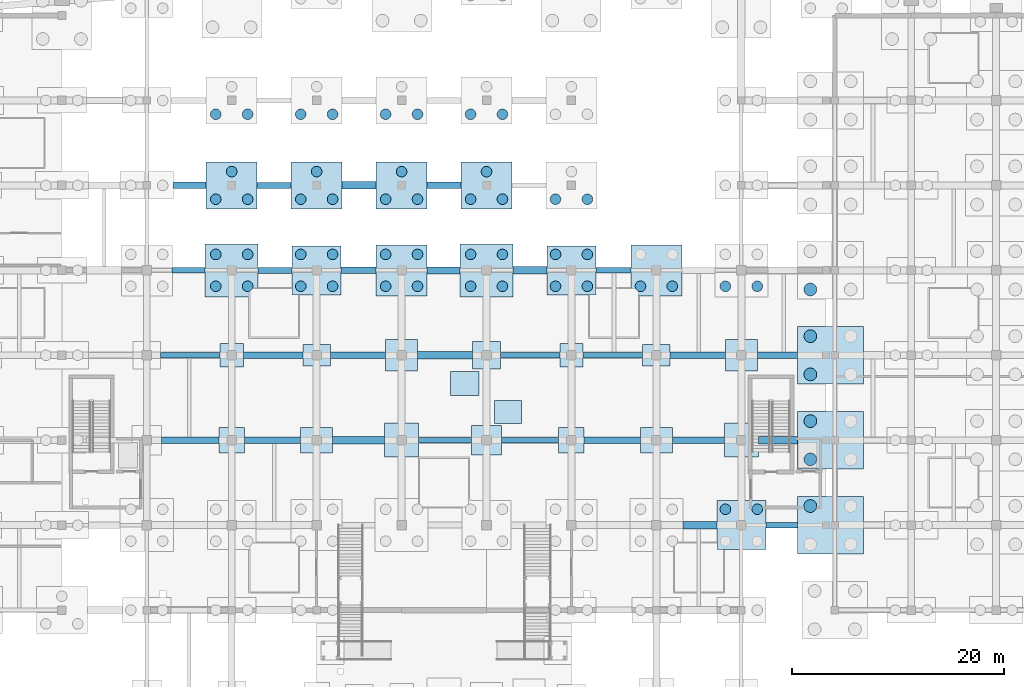
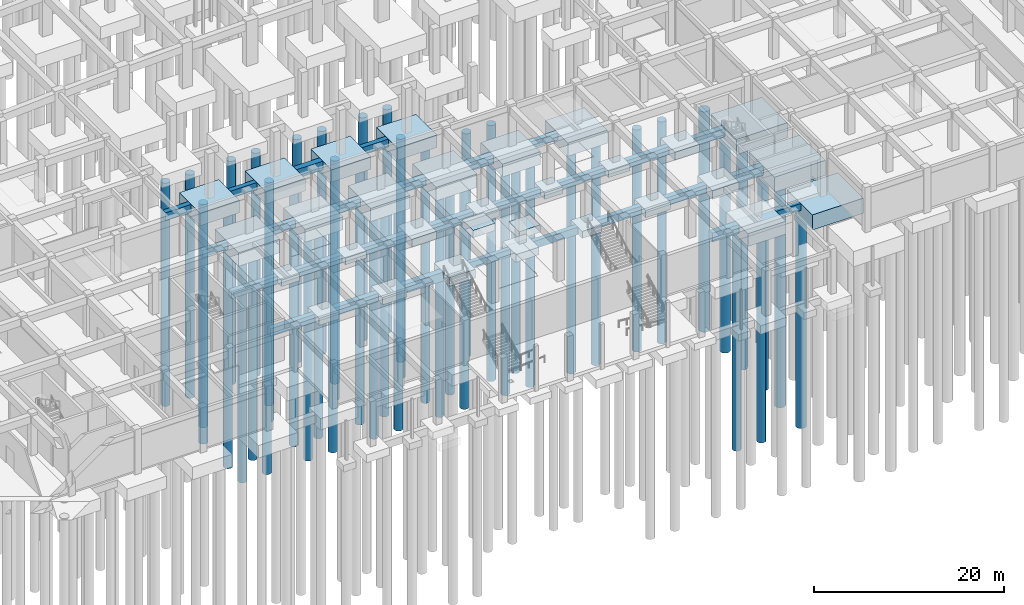
# One storey, part 3 of 45: 58 footings, 54 piles.
"""IFC4 building model written with IfcOpenShell, lengths in metres."""

from ifc_helpers import new_model, si_unit, direction, frame, origin, origin_2d, place, context, subcontext, project, spatial, rectangle, circle, extrude, material, material_profile, profile_set, type_object, element, save


model = new_model("IFC4")

# Units and contexts
model_context = context("Model", 3, precision=1e-05, world=origin(), true_north=direction((0.0, 1.0)))
body_context = subcontext(model_context, "Body", "Model", "MODEL_VIEW")
ifc_project = project(units=[si_unit("LENGTHUNIT", "METRE"), si_unit("AREAUNIT", "SQUARE_METRE"), si_unit("VOLUMEUNIT", "CUBIC_METRE"), si_unit("PLANEANGLEUNIT", "RADIAN"), si_unit("MASSUNIT", "GRAM", prefix="KILO")], contexts=[model_context])

# Site, building, storey
site_placement = place(None, origin())
site = spatial("IfcSite", under=ifc_project, at=site_placement, CompositionType="ELEMENT")
building_placement = place(site_placement, origin())
building = spatial("IfcBuilding", under=site, at=building_placement, Name="Kenh Van Central Station", CompositionType="ELEMENT")
storey_placement = place(building_placement, frame((0.0, 0.0, -5.39990234375)))
storey = spatial("IfcBuildingStorey", under=building, at=storey_placement, Name="B1", CompositionType="ELEMENT", Elevation=-5.39990234375)

# Footings
ifc_material = material(Name="Concrete C40/50", Category="concrete")
ifc_material_profile_1 = material_profile(ifc_material, rectangle(XDim=0.5, YDim=0.89990234375, at=origin_2d()), Name="RC 500x900")
ifc_profile_set_1 = profile_set([ifc_material_profile_1], Name="Concrete C40/50")
footing_type_1 = type_object("IfcFootingType", Name="FBM-500x900", PredefinedType="FOOTING_BEAM", material=ifc_profile_set_1)
footing_1_placement = place(storey_placement, frame((58.39990234375, 40.0, -0.85009765625), z_axis=(1.0, 0.0, 0.0), x_axis=(0.0, 1.0, 0.0)))
element("IfcFooting", 1, at=footing_1_placement, inside=storey, type_object=footing_type_1, Name="Ground tie beam 054", PredefinedType="FOOTING_BEAM", context=body_context, shape_type="SweptSolid", body=[
    extrude(rectangle(XDim=0.5, YDim=0.89990234375, at=origin_2d()), origin(), (0.0, 0.0, 1.0), 3.10009765625),
])
footing_2_placement = place(storey_placement, frame((81.60009765625, 24.0, -0.85009765625), z_axis=(1.0, 0.0, 0.0), x_axis=(0.0, 1.0, 0.0)))
element("IfcFooting", 2, at=footing_2_placement, inside=storey, type_object=footing_type_1, Name="Ground tie beam 064", PredefinedType="FOOTING_BEAM", context=body_context, shape_type="SweptSolid", body=[
    extrude(rectangle(XDim=0.5, YDim=0.89990234375, at=origin_2d()), origin(), (0.0, 0.0, 1.0), 5.0),
])
footing_3_placement = place(storey_placement, frame((89.300048828125, 32.0, -0.85009765625), z_axis=(1.0, 0.0, 0.0), x_axis=(0.0, 1.0, 0.0)))
element("IfcFooting", 3, at=footing_3_placement, inside=storey, type_object=footing_type_1, Name="Ground tie beam 069", PredefinedType="FOOTING_BEAM", context=body_context, shape_type="SweptSolid", body=[
    extrude(rectangle(XDim=0.5, YDim=0.89990234375, at=origin_2d()), origin(), (0.0, 0.0, 1.0), 5.599853515625),
])
footing_4_placement = place(storey_placement, frame((98.300048828125, 40.0, -0.85009765625), z_axis=(1.0, 0.0, 0.0), x_axis=(0.0, 1.0, 0.0)))
element("IfcFooting", 4, at=footing_4_placement, inside=storey, type_object=footing_type_1, Name="Ground tie beam 074", PredefinedType="FOOTING_BEAM", context=body_context, shape_type="SweptSolid", body=[
    extrude(rectangle(XDim=0.5, YDim=0.89990234375, at=origin_2d()), origin(), (0.0, 0.0, 1.0), 3.300048828125),
])
footing_5_placement = place(storey_placement, frame((114.300048828125, 16.0, -0.85009765625), z_axis=(1.0, 0.0, 0.0), x_axis=(0.0, 1.0, 0.0)))
element("IfcFooting", 5, at=footing_5_placement, inside=storey, type_object=footing_type_1, Name="Ground tie beam 079", PredefinedType="FOOTING_BEAM", context=body_context, shape_type="SweptSolid", body=[
    extrude(rectangle(XDim=0.5, YDim=0.89990234375, at=origin_2d()), origin(), (0.0, 0.0, 1.0), 3.0),
])
ifc_material_profile_2 = material_profile(ifc_material, rectangle(XDim=0.550048828125, YDim=0.949951171875, at=origin_2d()), Name="RC 550x950")
ifc_profile_set_2 = profile_set([ifc_material_profile_2], Name="Concrete C40/50")
footing_type_2 = type_object("IfcFootingType", Name="FBM-550x950", PredefinedType="FOOTING_BEAM", material=ifc_profile_set_2)
footing_6_placement = place(storey_placement, frame((57.300048828125, 32.0, -0.875), z_axis=(1.0, 0.0, 0.0), x_axis=(0.0, 1.0, 0.0)))
element("IfcFooting", 6, at=footing_6_placement, inside=storey, type_object=footing_type_2, Name="Ground tie beam 053", PredefinedType="FOOTING_BEAM", context=body_context, shape_type="SweptSolid", body=[
    extrude(rectangle(XDim=0.550048828125, YDim=0.949951171875, at=origin_2d()), origin(), (0.0, 0.0, 1.0), 5.599853515625),
])
footing_7_placement = place(storey_placement, frame((66.5, 40.0, -0.875), z_axis=(1.0, 0.0, 0.0), x_axis=(0.0, 1.0, 0.0)))
element("IfcFooting", 7, at=footing_7_placement, inside=storey, type_object=footing_type_2, Name="Ground tie beam 058", PredefinedType="FOOTING_BEAM", context=body_context, shape_type="SweptSolid", body=[
    extrude(rectangle(XDim=0.550048828125, YDim=0.949951171875, at=origin_2d()), origin(), (0.0, 0.0, 1.0), 3.199951171875),
])
footing_8_placement = place(storey_placement, frame((89.39990234375, 24.0, -0.875), z_axis=(1.0, 0.0, 0.0), x_axis=(0.0, 1.0, 0.0)))
element("IfcFooting", 8, at=footing_8_placement, inside=storey, type_object=footing_type_2, Name="Ground tie beam 068", PredefinedType="FOOTING_BEAM", context=body_context, shape_type="SweptSolid", body=[
    extrude(rectangle(XDim=0.550048828125, YDim=0.949951171875, at=origin_2d()), origin(), (0.0, 0.0, 1.0), 5.400146484375),
])
footing_9_placement = place(storey_placement, frame((97.10009765625, 32.0, -0.875), z_axis=(1.0, 0.0, 0.0), x_axis=(0.0, 1.0, 0.0)))
element("IfcFooting", 9, at=footing_9_placement, inside=storey, type_object=footing_type_2, Name="Ground tie beam 073", PredefinedType="FOOTING_BEAM", context=body_context, shape_type="SweptSolid", body=[
    extrude(rectangle(XDim=0.550048828125, YDim=0.949951171875, at=origin_2d()), origin(), (0.0, 0.0, 1.0), 5.599853515625),
])
footing_10_placement = place(storey_placement, frame((66.39990234375, 48.0, -0.875), z_axis=(1.0, 0.0, 0.0), x_axis=(0.0, 1.0, 0.0)))
element("IfcFooting", 10, at=footing_10_placement, inside=storey, type_object=footing_type_2, Name="Ground tie beam 093", PredefinedType="FOOTING_BEAM", context=body_context, shape_type="SweptSolid", body=[
    extrude(rectangle(XDim=0.550048828125, YDim=0.949951171875, at=origin_2d()), origin(), (0.0, 0.0, 1.0), 3.2001953125),
])
ifc_material_profile_3 = material_profile(ifc_material, rectangle(XDim=0.60009765625, YDim=1.0, at=origin_2d()), Name="RC 600x1000")
ifc_profile_set_3 = profile_set([ifc_material_profile_3], Name="Concrete C40/50")
footing_type_3 = type_object("IfcFootingType", Name="FBM-600x1000", PredefinedType="FOOTING_BEAM", material=ifc_profile_set_3)
footing_11_placement = place(storey_placement, frame((57.39990234375, 24.0, -0.900146484375), z_axis=(1.0, 0.0, 0.0), x_axis=(0.0, 1.0, 0.0)))
element("IfcFooting", 11, at=footing_11_placement, inside=storey, type_object=footing_type_3, Name="Ground tie beam 052", PredefinedType="FOOTING_BEAM", context=body_context, shape_type="SweptSolid", body=[
    extrude(rectangle(XDim=0.60009765625, YDim=1.0, at=origin_2d()), origin(), (0.0, 0.0, 1.0), 5.400146484375),
])
footing_12_placement = place(storey_placement, frame((65.10009765625, 32.0, -0.900146484375), z_axis=(1.0, 0.0, 0.0), x_axis=(0.0, 1.0, 0.0)))
element("IfcFooting", 12, at=footing_12_placement, inside=storey, type_object=footing_type_3, Name="Ground tie beam 057", PredefinedType="FOOTING_BEAM", context=body_context, shape_type="SweptSolid", body=[
    extrude(rectangle(XDim=0.60009765625, YDim=1.0, at=origin_2d()), origin(), (0.0, 0.0, 1.0), 5.599853515625),
])
footing_13_placement = place(storey_placement, frame((74.300048828125, 40.0, -0.900146484375), z_axis=(1.0, 0.0, 0.0), x_axis=(0.0, 1.0, 0.0)))
element("IfcFooting", 13, at=footing_13_placement, inside=storey, type_object=footing_type_3, Name="Ground tie beam 062", PredefinedType="FOOTING_BEAM", context=body_context, shape_type="SweptSolid", body=[
    extrude(rectangle(XDim=0.60009765625, YDim=1.0, at=origin_2d()), origin(), (0.0, 0.0, 1.0), 3.300048828125),
])
footing_14_placement = place(storey_placement, frame((97.199951171875, 24.0, -0.900146484375), z_axis=(1.0, 0.0, 0.0), x_axis=(0.0, 1.0, 0.0)))
element("IfcFooting", 14, at=footing_14_placement, inside=storey, type_object=footing_type_3, Name="Ground tie beam 072", PredefinedType="FOOTING_BEAM", context=body_context, shape_type="SweptSolid", body=[
    extrude(rectangle(XDim=0.60009765625, YDim=1.0, at=origin_2d()), origin(), (0.0, 0.0, 1.0), 5.300048828125),
])
footing_15_placement = place(storey_placement, frame((105.300048828125, 32.0, -0.900146484375), z_axis=(1.0, 0.0, 0.0), x_axis=(0.0, 1.0, 0.0)))
element("IfcFooting", 15, at=footing_15_placement, inside=storey, type_object=footing_type_3, Name="Ground tie beam 077", PredefinedType="FOOTING_BEAM", context=body_context, shape_type="SweptSolid", body=[
    extrude(rectangle(XDim=0.60009765625, YDim=1.0, at=origin_2d()), origin(), (0.0, 0.0, 1.0), 5.199951171875),
])
footing_16_placement = place(storey_placement, frame((58.5, 48.0, -0.900146484375), z_axis=(1.0, 0.0, 0.0), x_axis=(0.0, 1.0, 0.0)))
element("IfcFooting", 16, at=footing_16_placement, inside=storey, type_object=footing_type_3, Name="Ground tie beam 087", PredefinedType="FOOTING_BEAM", context=body_context, shape_type="SweptSolid", body=[
    extrude(rectangle(XDim=0.60009765625, YDim=1.0, at=origin_2d()), origin(), (0.0, 0.0, 1.0), 3.10009765625),
])
footing_17_placement = place(storey_placement, frame((82.39990234375, 48.0, -0.900146484375), z_axis=(1.0, 0.0, 0.0), x_axis=(0.0, 1.0, 0.0)))
element("IfcFooting", 17, at=footing_17_placement, inside=storey, type_object=footing_type_3, Name="Ground tie beam 097", PredefinedType="FOOTING_BEAM", context=body_context, shape_type="SweptSolid", body=[
    extrude(rectangle(XDim=0.60009765625, YDim=1.0, at=origin_2d()), origin(), (0.0, 0.0, 1.0), 3.2001953125),
])
ifc_material_profile_4 = material_profile(ifc_material, rectangle(XDim=0.64990234375, YDim=1.050048828125, at=origin_2d()), Name="RC 650x1050")
ifc_profile_set_4 = profile_set([ifc_material_profile_4], Name="Concrete C40/50")
footing_type_4 = type_object("IfcFootingType", Name="FBM-650x1050", PredefinedType="FOOTING_BEAM", material=ifc_profile_set_4)
footing_18_placement = place(storey_placement, frame((65.199951171875, 24.0, -0.925048828125), z_axis=(1.0, 0.0, 0.0), x_axis=(0.0, 1.0, 0.0)))
element("IfcFooting", 18, at=footing_18_placement, inside=storey, type_object=footing_type_4, Name="Ground tie beam 056", PredefinedType="FOOTING_BEAM", context=body_context, shape_type="SweptSolid", body=[
    extrude(rectangle(XDim=0.64990234375, YDim=1.050048828125, at=origin_2d()), origin(), (0.0, 0.0, 1.0), 5.300048828125),
])
footing_19_placement = place(storey_placement, frame((73.300048828125, 32.0, -0.925048828125), z_axis=(1.0, 0.0, 0.0), x_axis=(0.0, 1.0, 0.0)))
element("IfcFooting", 19, at=footing_19_placement, inside=storey, type_object=footing_type_4, Name="Ground tie beam 061", PredefinedType="FOOTING_BEAM", context=body_context, shape_type="SweptSolid", body=[
    extrude(rectangle(XDim=0.64990234375, YDim=1.050048828125, at=origin_2d()), origin(), (0.0, 0.0, 1.0), 5.199951171875),
])
footing_20_placement = place(storey_placement, frame((82.39990234375, 40.0, -0.925048828125), z_axis=(1.0, 0.0, 0.0), x_axis=(0.0, 1.0, 0.0)))
element("IfcFooting", 20, at=footing_20_placement, inside=storey, type_object=footing_type_4, Name="Ground tie beam 066", PredefinedType="FOOTING_BEAM", context=body_context, shape_type="SweptSolid", body=[
    extrude(rectangle(XDim=0.64990234375, YDim=1.050048828125, at=origin_2d()), origin(), (0.0, 0.0, 1.0), 3.10009765625),
])
footing_21_placement = place(storey_placement, frame((105.5, 24.0, -0.925048828125), z_axis=(1.0, 0.0, 0.0), x_axis=(0.0, 1.0, 0.0)))
element("IfcFooting", 21, at=footing_21_placement, inside=storey, type_object=footing_type_4, Name="Ground tie beam 076", PredefinedType="FOOTING_BEAM", context=body_context, shape_type="SweptSolid", body=[
    extrude(rectangle(XDim=0.64990234375, YDim=1.050048828125, at=origin_2d()), origin(), (0.0, 0.0, 1.0), 4.89990234375),
])
footing_22_placement = place(storey_placement, frame((113.5, 32.0, -0.925048828125), z_axis=(1.0, 0.0, 0.0), x_axis=(0.0, 1.0, 0.0)))
element("IfcFooting", 22, at=footing_22_placement, inside=storey, type_object=footing_type_4, Name="Ground tie beam 081", PredefinedType="FOOTING_BEAM", context=body_context, shape_type="SweptSolid", body=[
    extrude(rectangle(XDim=0.64990234375, YDim=1.050048828125, at=origin_2d()), origin(), (0.0, 0.0, 1.0), 3.800048828125),
])
ifc_material_profile_5 = material_profile(ifc_material, rectangle(XDim=0.699951171875, YDim=1.14990234375, at=origin_2d()), Name="RC 700x1150")
ifc_profile_set_5 = profile_set([ifc_material_profile_5], Name="Concrete C40/50")
footing_type_5 = type_object("IfcFootingType", Name="FBM-700x1150", PredefinedType="FOOTING_BEAM", material=ifc_profile_set_5)
footing_23_placement = place(storey_placement, frame((73.5, 24.0, -0.97509765625), z_axis=(1.0, 0.0, 0.0), x_axis=(0.0, 1.0, 0.0)))
element("IfcFooting", 23, at=footing_23_placement, inside=storey, type_object=footing_type_5, Name="Ground tie beam 060", PredefinedType="FOOTING_BEAM", context=body_context, shape_type="SweptSolid", body=[
    extrude(rectangle(XDim=0.699951171875, YDim=1.14990234375, at=origin_2d()), origin(), (0.0, 0.0, 1.0), 4.89990234375),
])
footing_24_placement = place(storey_placement, frame((81.5, 32.0, -0.97509765625), z_axis=(1.0, 0.0, 0.0), x_axis=(0.0, 1.0, 0.0)))
element("IfcFooting", 24, at=footing_24_placement, inside=storey, type_object=footing_type_5, Name="Ground tie beam 065", PredefinedType="FOOTING_BEAM", context=body_context, shape_type="SweptSolid", body=[
    extrude(rectangle(XDim=0.699951171875, YDim=1.14990234375, at=origin_2d()), origin(), (0.0, 0.0, 1.0), 5.199951171875),
])
for number, where, z_axis, x_axis, name in (
    (25, (90.5, 40.0, -0.97509765625), (1.0, 0.0, 0.0), (0.0, 1.0, 0.0), "Ground tie beam 070"),
    (26, (106.5, 16.0, -0.97509765625), (1.0, 0.0, 0.0), (0.0, 1.0, 0.0), "Ground tie beam 075"),
):
    element("IfcFooting", number, at=place(storey_placement, frame(where, z_axis=z_axis, x_axis=x_axis)), inside=storey, type_object=footing_type_5, Name=name, PredefinedType="FOOTING_BEAM", context=body_context, shape_type="SweptSolid", body=[
        extrude(rectangle(XDim=0.699951171875, YDim=1.14990234375, at=origin_2d()), origin(), (0.0, 0.0, 1.0), 3.199951171875),
    ])
footing_25_placement = place(storey_placement, frame((113.60009765625, 24.0, -0.97509765625), z_axis=(1.0, 0.0, 0.0), x_axis=(0.0, 1.0, 0.0)))
element("IfcFooting", 27, at=footing_25_placement, inside=storey, type_object=footing_type_5, Name="Ground tie beam 080", PredefinedType="FOOTING_BEAM", context=body_context, shape_type="SweptSolid", body=[
    extrude(rectangle(XDim=0.699951171875, YDim=1.14990234375, at=origin_2d()), origin(), (0.0, 0.0, 1.0), 3.699951171875),
])
footing_26_placement = place(storey_placement, frame((74.39990234375, 48.0, -0.97509765625), z_axis=(1.0, 0.0, 0.0), x_axis=(0.0, 1.0, 0.0)))
element("IfcFooting", 28, at=footing_26_placement, inside=storey, type_object=footing_type_5, Name="Ground tie beam 095", PredefinedType="FOOTING_BEAM", context=body_context, shape_type="SweptSolid", body=[
    extrude(rectangle(XDim=0.699951171875, YDim=1.14990234375, at=origin_2d()), origin(), (0.0, 0.0, 1.0), 3.2001953125),
])
footing_type_6 = type_object("IfcFootingType", Name="FCAP-3P-4800x4400x1600", PredefinedType="PILE_CAP", material=ifc_material)
for number, where, z_axis, x_axis, name in (
    (29, (64.0, 48.0, -2.000244140625), (0.0, 0.0, 1.0), (1.0, 0.0, 0.0), "Foundation FDN-180"),
    (30, (72.0, 48.0, -2.000244140625), (0.0, 0.0, 1.0), (1.0, 0.0, 0.0), "Foundation FDN-182"),
    (31, (80.0, 48.0, -2.000244140625), (0.0, 0.0, 1.0), (1.0, 0.0, 0.0), "Foundation FDN-184"),
    (32, (88.0, 48.0, -2.000244140625), (0.0, 0.0, 1.0), (1.0, 0.0, 0.0), "Foundation FDN-186"),
):
    element("IfcFooting", number, at=place(storey_placement, frame(where, z_axis=z_axis, x_axis=x_axis)), inside=storey, type_object=footing_type_6, Name=name, PredefinedType="PILE_CAP", context=body_context, shape_type="SweptSolid", body=[
        extrude(rectangle(XDim=4.800048828125, YDim=4.39990234375, at=origin_2d()), origin(), (0.0, 0.0, 1.0), 1.60009765625),
    ])
footing_type_7 = type_object("IfcFootingType", Name="FCAP-4P-4600x4600x1650", PredefinedType="PILE_CAP", material=ifc_material)
for number, where, z_axis, x_axis, name in (
    (33, (72.0, 40.0, -2.050048828125), (0.0, 0.0, 1.0), (1.0, 0.0, 0.0), "Foundation FDN-149"),
    (34, (96.0, 40.0, -2.050048828125), (0.0, 0.0, 1.0), (1.0, 0.0, 0.0), "Foundation FDN-161"),
    (35, (112.0, 16.0, -2.050048828125), (0.0, 0.0, 1.0), (1.0, 0.0, 0.0), "Foundation FDN-166"),
):
    element("IfcFooting", number, at=place(storey_placement, frame(where, z_axis=z_axis, x_axis=x_axis)), inside=storey, type_object=footing_type_7, Name=name, PredefinedType="PILE_CAP", context=body_context, shape_type="SweptSolid", body=[
        extrude(rectangle(XDim=4.60009765625, YDim=4.60009765625, at=origin_2d()), origin(), (0.0, 0.0, 1.0), 1.64990234375),
    ])
footing_type_8 = type_object("IfcFootingType", Name="FCAP-4P-4800x4800x1700", PredefinedType="PILE_CAP", material=ifc_material)
for number, where, z_axis, x_axis, name in (
    (36, (80.0, 40.0, -2.10009765625), (0.0, 0.0, 1.0), (1.0, 0.0, 0.0), "Foundation FDN-153"),
    (37, (104.0, 40.0, -2.10009765625), (0.0, 0.0, 1.0), (1.0, 0.0, 0.0), "Foundation FDN-165"),
):
    element("IfcFooting", number, at=place(storey_placement, frame(where, z_axis=z_axis, x_axis=x_axis)), inside=storey, type_object=footing_type_8, Name=name, PredefinedType="PILE_CAP", context=body_context, shape_type="SweptSolid", body=[
        extrude(rectangle(XDim=4.800048828125, YDim=4.800048828125, at=origin_2d()), origin(), (0.0, 0.0, 1.0), 1.699951171875),
    ])
footing_type_9 = type_object("IfcFootingType", Name="FCAP-4P-5000x5000x1750", PredefinedType="PILE_CAP", material=ifc_material)
for number, where, z_axis, x_axis, name in (
    (38, (64.0, 40.0, -2.150146484375), (0.0, 0.0, 1.0), (1.0, 0.0, 0.0), "Foundation FDN-145"),
    (39, (88.0, 40.0, -2.150146484375), (0.0, 0.0, 1.0), (1.0, 0.0, 0.0), "Foundation FDN-157"),
):
    element("IfcFooting", number, at=place(storey_placement, frame(where, z_axis=z_axis, x_axis=x_axis)), inside=storey, type_object=footing_type_9, Name=name, PredefinedType="PILE_CAP", context=body_context, shape_type="SweptSolid", body=[
        extrude(rectangle(XDim=5.0, YDim=5.0, at=origin_2d()), origin(), (0.0, 0.0, 1.0), 1.75),
    ])
footing_type_10 = type_object("IfcFootingType", Name="FCAP-4P-6200x5400x1950", PredefinedType="PILE_CAP", material=ifc_material)
for number, where, z_axis, x_axis, name in (
    (40, (120.39990234375, 16.0, -2.35009765625), (0.0, 0.0, 1.0), (1.0, 0.0, 0.0), "Foundation FDN-170"),
    (41, (120.39990234375, 24.0, -2.35009765625), (0.0, 0.0, 1.0), (1.0, 0.0, 0.0), "Foundation FDN-171"),
    (42, (120.39990234375, 32.0, -2.35009765625), (0.0, 0.0, 1.0), (1.0, 0.0, 0.0), "Foundation FDN-172"),
):
    element("IfcFooting", number, at=place(storey_placement, frame(where, z_axis=z_axis, x_axis=x_axis)), inside=storey, type_object=footing_type_10, Name=name, PredefinedType="PILE_CAP", context=body_context, shape_type="SweptSolid", body=[
        extrude(rectangle(XDim=6.199951171875, YDim=5.39990234375, at=origin_2d()), origin(), (0.0, 0.0, 1.0), 1.949951171875),
    ])
footing_type_11 = type_object("IfcFootingType", Name="FPAD-2200x2200x850", PredefinedType="PAD_FOOTING", material=ifc_material)
for number, where, z_axis, x_axis, name in (
    (43, (64.0, 32.0, -1.250244140625), (0.0, 0.0, 1.0), (1.0, 0.0, 0.0), "Foundation FDN-144"),
    (44, (96.0, 32.0, -1.250244140625), (0.0, 0.0, 1.0), (1.0, 0.0, 0.0), "Foundation FDN-160"),
):
    element("IfcFooting", number, at=place(storey_placement, frame(where, z_axis=z_axis, x_axis=x_axis)), inside=storey, type_object=footing_type_11, Name=name, PredefinedType="PAD_FOOTING", context=body_context, shape_type="SweptSolid", body=[
        extrude(rectangle(XDim=2.199951171875, YDim=2.199951171875, at=origin_2d()), origin(), (0.0, 0.0, 1.0), 0.85009765625),
    ])
footing_type_12 = type_object("IfcFootingType", Name="FPAD-2400x2400x900", PredefinedType="PAD_FOOTING", material=ifc_material)
for number, where, z_axis, x_axis, name in (
    (45, (64.0, 24.0, -1.300048828125), (0.0, 0.0, 1.0), (1.0, 0.0, 0.0), "Foundation FDN-143"),
    (46, (96.0, 24.0, -1.300048828125), (0.0, 0.0, 1.0), (1.0, 0.0, 0.0), "Foundation FDN-159"),
):
    element("IfcFooting", number, at=place(storey_placement, frame(where, z_axis=z_axis, x_axis=x_axis)), inside=storey, type_object=footing_type_12, Name=name, PredefinedType="PAD_FOOTING", context=body_context, shape_type="SweptSolid", body=[
        extrude(rectangle(XDim=2.39990234375, YDim=2.39990234375, at=origin_2d()), origin(), (0.0, 0.0, 1.0), 0.89990234375),
    ])
footing_type_13 = type_object("IfcFootingType", Name="FPAD-2600x2000x850", PredefinedType="PAD_FOOTING", material=ifc_material)
for number, where, z_axis, x_axis, name in (
    (47, (72.0, 32.0, -1.250244140625), (0.0, 0.0, 1.0), (1.0, 0.0, 0.0), "Foundation FDN-148"),
    (48, (104.0, 32.0, -1.250244140625), (0.0, 0.0, 1.0), (1.0, 0.0, 0.0), "Foundation FDN-164"),
):
    element("IfcFooting", number, at=place(storey_placement, frame(where, z_axis=z_axis, x_axis=x_axis)), inside=storey, type_object=footing_type_13, Name=name, PredefinedType="PAD_FOOTING", context=body_context, shape_type="SweptSolid", body=[
        extrude(rectangle(XDim=2.60009765625, YDim=2.0, at=origin_2d()), origin(), (0.0, 0.0, 1.0), 0.85009765625),
    ])
footing_type_14 = type_object("IfcFootingType", Name="FPAD-2600x2600x950", PredefinedType="PAD_FOOTING", material=ifc_material)
footing_27_placement = place(storey_placement, frame((88.0, 32.0, -1.35009765625), z_axis=(0.0, 0.0, 1.0), x_axis=(1.0, 0.0, 0.0)))
element("IfcFooting", 49, at=footing_27_placement, inside=storey, type_object=footing_type_14, Name="Foundation FDN-156", PredefinedType="PAD_FOOTING", context=body_context, shape_type="SweptSolid", body=[
    extrude(rectangle(XDim=2.60009765625, YDim=2.60009765625, at=origin_2d()), origin(), (0.0, 0.0, 1.0), 0.949951171875),
])
footing_28_placement = place(storey_placement, frame((90.0048828125, 26.64990234375, -0.9501953125), z_axis=(0.0, 0.0, 1.0), x_axis=(1.0, 0.0, 0.0)))
element("IfcFooting", 50, at=footing_28_placement, inside=storey, type_object=footing_type_14, Name="B1 stair mid-landing combined footing ST-PUB3", PredefinedType="PAD_FOOTING", context=body_context, shape_type="SweptSolid", body=[
    extrude(rectangle(XDim=2.550048828125, YDim=2.179931640625, at=origin_2d()), origin(), (0.0, 0.0, 1.0), 0.949951171875),
])
footing_29_placement = place(storey_placement, frame((85.955078125, 29.35009765625, -0.9501953125), z_axis=(0.0, 0.0, 1.0), x_axis=(1.0, 0.0, 0.0)))
element("IfcFooting", 51, at=footing_29_placement, inside=storey, type_object=footing_type_14, Name="B1 stair mid-landing combined footing ST-PUB4", PredefinedType="PAD_FOOTING", context=body_context, shape_type="SweptSolid", body=[
    extrude(rectangle(XDim=2.64990234375, YDim=2.280029296875, at=origin_2d()), origin(), (0.0, 0.0, 1.0), 0.949951171875),
])
footing_type_15 = type_object("IfcFootingType", Name="FPAD-2800x2800x1000", PredefinedType="PAD_FOOTING", material=ifc_material)
footing_30_placement = place(storey_placement, frame((88.0, 24.0, -1.400146484375), z_axis=(0.0, 0.0, 1.0), x_axis=(1.0, 0.0, 0.0)))
element("IfcFooting", 52, at=footing_30_placement, inside=storey, type_object=footing_type_15, Name="Foundation FDN-155", PredefinedType="PAD_FOOTING", context=body_context, shape_type="SweptSolid", body=[
    extrude(rectangle(XDim=2.800048828125, YDim=2.800048828125, at=origin_2d()), origin(), (0.0, 0.0, 1.0), 1.0),
])
footing_type_16 = type_object("IfcFootingType", Name="FPAD-3000x2400x950", PredefinedType="PAD_FOOTING", material=ifc_material)
for number, where, z_axis, x_axis, name in (
    (53, (72.0, 24.0, -1.35009765625), (0.0, 0.0, 1.0), (1.0, 0.0, 0.0), "Foundation FDN-147"),
    (54, (104.0, 24.0, -1.35009765625), (0.0, 0.0, 1.0), (1.0, 0.0, 0.0), "Foundation FDN-163"),
):
    element("IfcFooting", number, at=place(storey_placement, frame(where, z_axis=z_axis, x_axis=x_axis)), inside=storey, type_object=footing_type_16, Name=name, PredefinedType="PAD_FOOTING", context=body_context, shape_type="SweptSolid", body=[
        extrude(rectangle(XDim=3.0, YDim=2.39990234375, at=origin_2d()), origin(), (0.0, 0.0, 1.0), 0.949951171875),
    ])
footing_type_17 = type_object("IfcFootingType", Name="FPAD-3000x3000x1050", PredefinedType="PAD_FOOTING", material=ifc_material)
for number, where, z_axis, x_axis, name in (
    (55, (80.0, 32.0, -1.4501953125), (0.0, 0.0, 1.0), (1.0, 0.0, 0.0), "Foundation FDN-152"),
    (56, (112.0, 32.0, -1.4501953125), (0.0, 0.0, 1.0), (1.0, 0.0, 0.0), "Foundation FDN-168"),
):
    element("IfcFooting", number, at=place(storey_placement, frame(where, z_axis=z_axis, x_axis=x_axis)), inside=storey, type_object=footing_type_17, Name=name, PredefinedType="PAD_FOOTING", context=body_context, shape_type="SweptSolid", body=[
        extrude(rectangle(XDim=3.0, YDim=3.0, at=origin_2d()), origin(), (0.0, 0.0, 1.0), 1.050048828125),
    ])
footing_type_18 = type_object("IfcFootingType", Name="FPAD-3200x3200x1100", PredefinedType="PAD_FOOTING", material=ifc_material)
for number, where, z_axis, x_axis, name in (
    (57, (80.0, 24.0, -1.500244140625), (0.0, 0.0, 1.0), (1.0, 0.0, 0.0), "Foundation FDN-151"),
    (58, (112.0, 24.0, -1.500244140625), (0.0, 0.0, 1.0), (1.0, 0.0, 0.0), "Foundation FDN-167"),
):
    element("IfcFooting", number, at=place(storey_placement, frame(where, z_axis=z_axis, x_axis=x_axis)), inside=storey, type_object=footing_type_18, Name=name, PredefinedType="PAD_FOOTING", context=body_context, shape_type="SweptSolid", body=[
        extrude(rectangle(XDim=3.199951171875, YDim=3.199951171875, at=origin_2d()), origin(), (0.0, 0.0, 1.0), 1.10009765625),
    ])

# Piles
ifc_material_profile_6 = material_profile(ifc_material, circle(Radius=0.5, at=origin_2d()), Name="PILE D1000")
ifc_profile_set_6 = profile_set([ifc_material_profile_6], Name="Concrete C40/50")
pile_type_1 = type_object("IfcPileType", Name="PILE-BORED-1000", PredefinedType="BORED", material=ifc_profile_set_6)
for number, where, z_axis, x_axis, name in (
    (59, (62.5, 38.5, -2.050048828125), (0.0, 0.0, -1.0), (1.0, 0.0, 0.0), "Bored pile 0332"),
    (60, (62.5, 41.5, -2.050048828125), (0.0, 0.0, -1.0), (1.0, 0.0, 0.0), "Bored pile 0333"),
    (61, (65.5, 38.5, -2.050048828125), (0.0, 0.0, -1.0), (1.0, 0.0, 0.0), "Bored pile 0334"),
    (62, (65.5, 41.5, -2.050048828125), (0.0, 0.0, -1.0), (1.0, 0.0, 0.0), "Bored pile 0335"),
):
    element("IfcPile", number, at=place(storey_placement, frame(where, z_axis=z_axis, x_axis=x_axis)), inside=storey, type_object=pile_type_1, Name=name, PredefinedType="BORED", context=body_context, shape_type="SweptSolid", body=[
        extrude(circle(Radius=0.5, at=origin_2d()), origin(), (0.0, 0.0, 1.0), 28.550048828125),
    ])
for number, where, z_axis, x_axis, name in (
    (63, (70.5, 38.5, -1.9501953125), (0.0, 0.0, -1.0), (1.0, 0.0, 0.0), "Bored pile 0340"),
    (64, (70.5, 41.5, -1.9501953125), (0.0, 0.0, -1.0), (1.0, 0.0, 0.0), "Bored pile 0341"),
    (65, (73.5, 38.5, -1.9501953125), (0.0, 0.0, -1.0), (1.0, 0.0, 0.0), "Bored pile 0342"),
    (66, (73.5, 41.5, -1.9501953125), (0.0, 0.0, -1.0), (1.0, 0.0, 0.0), "Bored pile 0343"),
):
    element("IfcPile", number, at=place(storey_placement, frame(where, z_axis=z_axis, x_axis=x_axis)), inside=storey, type_object=pile_type_1, Name=name, PredefinedType="BORED", context=body_context, shape_type="SweptSolid", body=[
        extrude(circle(Radius=0.5, at=origin_2d()), origin(), (0.0, 0.0, 1.0), 28.64990234375),
    ])
for number, where, z_axis, x_axis, name in (
    (67, (78.5, 38.5, -2.0), (0.0, 0.0, -1.0), (1.0, 0.0, 0.0), "Bored pile 0348"),
    (68, (78.5, 41.5, -2.0), (0.0, 0.0, -1.0), (1.0, 0.0, 0.0), "Bored pile 0349"),
    (69, (81.5, 38.5, -2.0), (0.0, 0.0, -1.0), (1.0, 0.0, 0.0), "Bored pile 0350"),
    (70, (81.5, 41.5, -2.0), (0.0, 0.0, -1.0), (1.0, 0.0, 0.0), "Bored pile 0351"),
):
    element("IfcPile", number, at=place(storey_placement, frame(where, z_axis=z_axis, x_axis=x_axis)), inside=storey, type_object=pile_type_1, Name=name, PredefinedType="BORED", context=body_context, shape_type="SweptSolid", body=[
        extrude(circle(Radius=0.5, at=origin_2d()), origin(), (0.0, 0.0, 1.0), 28.60009765625),
    ])
for number, where, z_axis, x_axis, name in (
    (71, (86.5, 38.5, -2.050048828125), (0.0, 0.0, -1.0), (1.0, 0.0, 0.0), "Bored pile 0356"),
    (72, (86.5, 41.5, -2.050048828125), (0.0, 0.0, -1.0), (1.0, 0.0, 0.0), "Bored pile 0357"),
    (73, (89.5, 38.5, -2.050048828125), (0.0, 0.0, -1.0), (1.0, 0.0, 0.0), "Bored pile 0358"),
    (74, (89.5, 41.5, -2.050048828125), (0.0, 0.0, -1.0), (1.0, 0.0, 0.0), "Bored pile 0359"),
):
    element("IfcPile", number, at=place(storey_placement, frame(where, z_axis=z_axis, x_axis=x_axis)), inside=storey, type_object=pile_type_1, Name=name, PredefinedType="BORED", context=body_context, shape_type="SweptSolid", body=[
        extrude(circle(Radius=0.5, at=origin_2d()), origin(), (0.0, 0.0, 1.0), 28.550048828125),
    ])
for number, where, z_axis, x_axis, name in (
    (75, (94.5, 38.5, -1.9501953125), (0.0, 0.0, -1.0), (1.0, 0.0, 0.0), "Bored pile 0364"),
    (76, (94.5, 41.5, -1.9501953125), (0.0, 0.0, -1.0), (1.0, 0.0, 0.0), "Bored pile 0365"),
    (77, (97.5, 38.5, -1.9501953125), (0.0, 0.0, -1.0), (1.0, 0.0, 0.0), "Bored pile 0366"),
    (78, (97.5, 41.5, -1.9501953125), (0.0, 0.0, -1.0), (1.0, 0.0, 0.0), "Bored pile 0367"),
):
    element("IfcPile", number, at=place(storey_placement, frame(where, z_axis=z_axis, x_axis=x_axis)), inside=storey, type_object=pile_type_1, Name=name, PredefinedType="BORED", context=body_context, shape_type="SweptSolid", body=[
        extrude(circle(Radius=0.5, at=origin_2d()), origin(), (0.0, 0.0, 1.0), 28.64990234375),
    ])
for number, where, z_axis, x_axis, name in (
    (79, (102.5, 38.5, -2.0), (0.0, 0.0, -1.0), (1.0, 0.0, 0.0), "Bored pile 0372"),
    (80, (105.5, 38.5, -2.0), (0.0, 0.0, -1.0), (1.0, 0.0, 0.0), "Bored pile 0374"),
):
    element("IfcPile", number, at=place(storey_placement, frame(where, z_axis=z_axis, x_axis=x_axis)), inside=storey, type_object=pile_type_1, Name=name, PredefinedType="BORED", context=body_context, shape_type="SweptSolid", body=[
        extrude(circle(Radius=0.5, at=origin_2d()), origin(), (0.0, 0.0, 1.0), 28.60009765625),
    ])
for number, where, z_axis, x_axis, name in (
    (81, (110.5, 17.5, -1.9501953125), (0.0, 0.0, -1.0), (1.0, 0.0, 0.0), "Bored pile 0377"),
    (82, (113.5, 17.5, -1.9501953125), (0.0, 0.0, -1.0), (1.0, 0.0, 0.0), "Bored pile 0379"),
):
    element("IfcPile", number, at=place(storey_placement, frame(where, z_axis=z_axis, x_axis=x_axis)), inside=storey, type_object=pile_type_1, Name=name, PredefinedType="BORED", context=body_context, shape_type="SweptSolid", body=[
        extrude(circle(Radius=0.5, at=origin_2d()), origin(), (0.0, 0.0, 1.0), 28.64990234375),
    ])
for number, where, z_axis, x_axis, name in (
    (83, (110.5, 38.5, -2.050048828125), (0.0, 0.0, -1.0), (1.0, 0.0, 0.0), "Bored pile 0380"),
    (84, (113.5, 38.5, -2.050048828125), (0.0, 0.0, -1.0), (1.0, 0.0, 0.0), "Bored pile 0382"),
):
    element("IfcPile", number, at=place(storey_placement, frame(where, z_axis=z_axis, x_axis=x_axis)), inside=storey, type_object=pile_type_1, Name=name, PredefinedType="BORED", context=body_context, shape_type="SweptSolid", body=[
        extrude(circle(Radius=0.5, at=origin_2d()), origin(), (0.0, 0.0, 1.0), 28.550048828125),
    ])
for number, where, z_axis, x_axis, name in (
    (85, (62.5, 46.699951171875, -1.900146484375), (0.0, 0.0, -1.0), (1.0, 0.0, 0.0), "Bored pile 0416"),
    (86, (65.5, 46.699951171875, -1.900146484375), (0.0, 0.0, -1.0), (1.0, 0.0, 0.0), "Bored pile 0417"),
    (87, (64.0, 49.300048828125, -1.900146484375), (0.0, 0.0, -1.0), (1.0, 0.0, 0.0), "Bored pile 0418"),
    (88, (62.5, 54.699951171875, -1.900146484375), (0.0, 0.0, -1.0), (1.0, 0.0, 0.0), "Bored pile 0419"),
    (89, (65.5, 54.699951171875, -1.900146484375), (0.0, 0.0, -1.0), (1.0, 0.0, 0.0), "Bored pile 0420"),
    (90, (70.5, 46.699951171875, -1.900146484375), (0.0, 0.0, -1.0), (1.0, 0.0, 0.0), "Bored pile 0422"),
    (91, (73.5, 46.699951171875, -1.900146484375), (0.0, 0.0, -1.0), (1.0, 0.0, 0.0), "Bored pile 0423"),
    (92, (72.0, 49.300048828125, -1.900146484375), (0.0, 0.0, -1.0), (1.0, 0.0, 0.0), "Bored pile 0424"),
    (93, (70.5, 54.699951171875, -1.900146484375), (0.0, 0.0, -1.0), (1.0, 0.0, 0.0), "Bored pile 0425"),
    (94, (73.5, 54.699951171875, -1.900146484375), (0.0, 0.0, -1.0), (1.0, 0.0, 0.0), "Bored pile 0426"),
    (95, (78.5, 46.699951171875, -1.900146484375), (0.0, 0.0, -1.0), (1.0, 0.0, 0.0), "Bored pile 0428"),
    (96, (81.5, 46.699951171875, -1.900146484375), (0.0, 0.0, -1.0), (1.0, 0.0, 0.0), "Bored pile 0429"),
    (97, (80.0, 49.300048828125, -1.900146484375), (0.0, 0.0, -1.0), (1.0, 0.0, 0.0), "Bored pile 0430"),
    (98, (78.5, 54.699951171875, -1.900146484375), (0.0, 0.0, -1.0), (1.0, 0.0, 0.0), "Bored pile 0431"),
    (99, (81.5, 54.699951171875, -1.900146484375), (0.0, 0.0, -1.0), (1.0, 0.0, 0.0), "Bored pile 0432"),
    (100, (86.5, 46.699951171875, -1.900146484375), (0.0, 0.0, -1.0), (1.0, 0.0, 0.0), "Bored pile 0434"),
    (101, (89.5, 46.699951171875, -1.900146484375), (0.0, 0.0, -1.0), (1.0, 0.0, 0.0), "Bored pile 0435"),
    (102, (88.0, 49.300048828125, -1.900146484375), (0.0, 0.0, -1.0), (1.0, 0.0, 0.0), "Bored pile 0436"),
    (103, (86.5, 54.699951171875, -1.900146484375), (0.0, 0.0, -1.0), (1.0, 0.0, 0.0), "Bored pile 0437"),
    (104, (89.5, 54.699951171875, -1.900146484375), (0.0, 0.0, -1.0), (1.0, 0.0, 0.0), "Bored pile 0438"),
    (105, (94.5, 46.699951171875, -1.900146484375), (0.0, 0.0, -1.0), (1.0, 0.0, 0.0), "Bored pile 0440"),
    (106, (97.5, 46.699951171875, -1.900146484375), (0.0, 0.0, -1.0), (1.0, 0.0, 0.0), "Bored pile 0441"),
):
    element("IfcPile", number, at=place(storey_placement, frame(where, z_axis=z_axis, x_axis=x_axis)), inside=storey, type_object=pile_type_1, Name=name, PredefinedType="BORED", context=body_context, shape_type="SweptSolid", body=[
        extrude(circle(Radius=0.5, at=origin_2d()), origin(), (0.0, 0.0, 1.0), 28.699951171875),
    ])
ifc_material_profile_7 = material_profile(ifc_material, circle(Radius=0.60009765625, at=origin_2d()), Name="PILE D1200")
ifc_profile_set_7 = profile_set([ifc_material_profile_7], Name="Concrete C40/50")
pile_type_2 = type_object("IfcPileType", Name="PILE-BORED-1200", PredefinedType="BORED", material=ifc_profile_set_7)
for number, where, z_axis, x_axis, name in (
    (107, (118.5, 17.800048828125, -2.25), (0.0, 0.0, -1.0), (1.0, 0.0, 0.0), "Bored pile 0385"),
    (108, (118.5, 22.199951171875, -2.25), (0.0, 0.0, -1.0), (1.0, 0.0, 0.0), "Bored pile 0388"),
    (109, (118.5, 25.800048828125, -2.25), (0.0, 0.0, -1.0), (1.0, 0.0, 0.0), "Bored pile 0389"),
    (110, (118.5, 30.199951171875, -2.25), (0.0, 0.0, -1.0), (1.0, 0.0, 0.0), "Bored pile 0392"),
    (111, (118.5, 33.800048828125, -2.25), (0.0, 0.0, -1.0), (1.0, 0.0, 0.0), "Bored pile 0393"),
    (112, (118.5, 38.199951171875, -2.25), (0.0, 0.0, -1.0), (1.0, 0.0, 0.0), "Bored pile 0396"),
):
    element("IfcPile", number, at=place(storey_placement, frame(where, z_axis=z_axis, x_axis=x_axis)), inside=storey, type_object=pile_type_2, Name=name, PredefinedType="BORED", context=body_context, shape_type="SweptSolid", body=[
        extrude(circle(Radius=0.60009765625, at=origin_2d()), origin(), (0.0, 0.0, 1.0), 28.35009765625),
    ])

save(model, "model.ifc")
